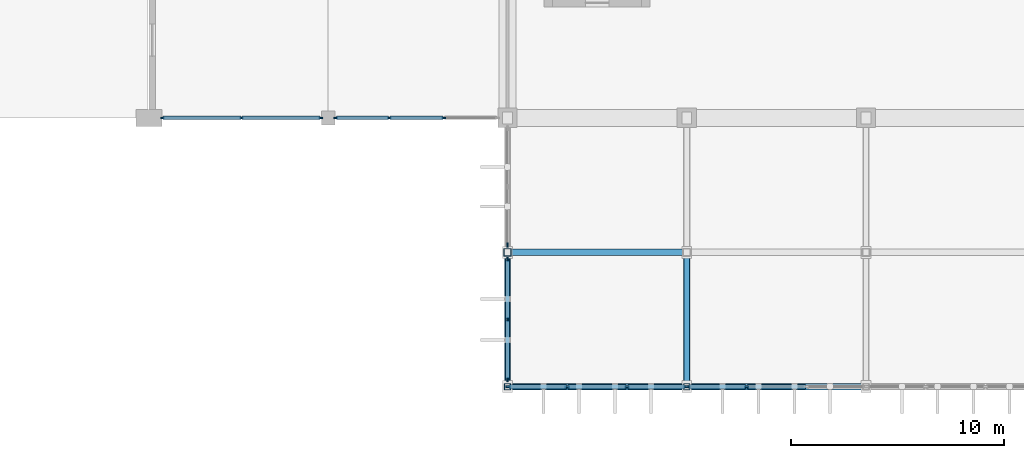
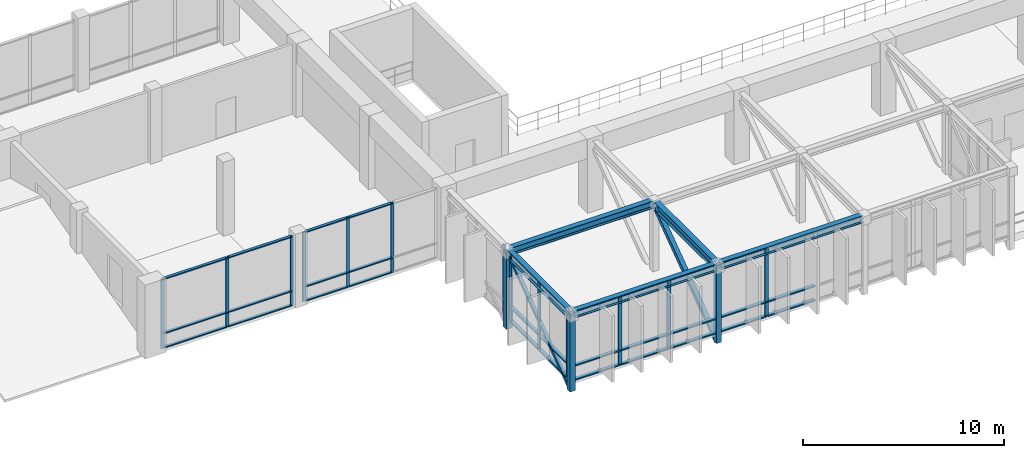
# One storey, part 2 of 40: 53 members, 5 beams, 6 elements without a shape of their own.
"""IFC4 building model written with IfcOpenShell, lengths in metres."""

from ifc_helpers import new_model, si_unit, direction, frame, origin, origin_2d, place, context, subcontext, project, spatial, rectangle, hollow_rectangle, i_section, extrude, material, material_profile, profile_set, type_object, element, aggregate, save


model = new_model("IFC4")

# Units and contexts
model_context = context("Model", 3, precision=1e-05, world=origin(), true_north=direction((0.0, 1.0)))
body_context = subcontext(model_context, "Body", "Model", "MODEL_VIEW")
ifc_project = project(units=[si_unit("LENGTHUNIT", "METRE"), si_unit("AREAUNIT", "SQUARE_METRE"), si_unit("VOLUMEUNIT", "CUBIC_METRE"), si_unit("PLANEANGLEUNIT", "RADIAN"), si_unit("MASSUNIT", "GRAM", prefix="KILO")], contexts=[model_context])

# Site, building, storey
site_placement = place(None, origin())
site = spatial("IfcSite", under=ifc_project, at=site_placement, CompositionType="ELEMENT")
building_placement = place(site_placement, origin())
building = spatial("IfcBuilding", under=site, at=building_placement, Name="Kenerak Square Central Library", CompositionType="ELEMENT")
storey_placement = place(building_placement, frame((0.0, 0.0, 14.39990234375)))
storey = spatial("IfcBuildingStorey", under=building, at=storey_placement, Name="L03", CompositionType="ELEMENT", Elevation=14.39990234375)

# Beams
ifc_material_1 = material(Name="Steel S355", Category="steel")
ifc_material_profile_1 = material_profile(ifc_material_1, i_section(OverallWidth=0.300048828125, OverallDepth=0.5, WebThickness=0.014404296875, FlangeThickness=0.028076171875, FilletRadius=0.027099609375, at=origin_2d()), Name="HEB 500")
ifc_profile_set_1 = profile_set([ifc_material_profile_1], Name="Steel S355")
beam_type_1 = type_object("IfcBeamType", Name="Backspan Steel Girder SB-03 HEB 500 S355", PredefinedType="BEAM", material=ifc_profile_set_1)
for number, where, z_axis, x_axis, name in (
    (1, (58.39990234375, 4.320068359375, 4.025146484375), (0.0, 1.0, 0.0), (-1.0, 0.0, 0.0), "Wall-Truss Chord 1 L03 007"),
    (2, (66.800048828125, 4.320068359375, 4.025146484375), (0.0, 1.0, 0.0), (-1.0, 0.0, 0.0), "Wall-Truss Chord 2 L03 023"),
):
    element("IfcBeam", number, at=place(storey_placement, frame(where, z_axis=z_axis, x_axis=x_axis)), inside=storey, type_object=beam_type_1, Name=name, PredefinedType="BEAM", context=body_context, shape_type="SweptSolid", body=[
        extrude(i_section(OverallWidth=0.300048828125, OverallDepth=0.5, WebThickness=0.014404296875, FlangeThickness=0.028076171875, FilletRadius=0.027099609375, at=origin_2d()), origin(), (0.0, 0.0, 1.0), 6.059814453125),
    ])

# Curtain wall, members
ifc_material_2 = material(Name="Anodised aluminium and solar-control low-E glazing", Category="aluminium")
curtain_wall_type_1 = type_object("IfcCurtainWallType", Name="Curtain Wall CW-V6-76x42 7625x4230", PredefinedType="USERDEFINED", material=ifc_material_2)
curtain_wall_1_placement = place(storey_placement, origin())
curtain_wall_1 = element("IfcCurtainWall", 3, at=curtain_wall_1_placement, inside=storey, type_object=curtain_wall_type_1, Name="Curtain Wall CW-V6-76x42 L03 0139", ObjectType="CURTAIN WALL", PredefinedType="USERDEFINED")
ifc_material_3 = material(Name="Anodised aluminium 6063-T6", Category="aluminium")
ifc_material_profile_2 = material_profile(ifc_material_3, rectangle(XDim=0.06494140625, YDim=0.179931640625, at=origin_2d()), Name="AL MULLION 65x180")
ifc_profile_set_2 = profile_set([ifc_material_profile_2], Name="Anodised aluminium 6063-T6")
member_type_1 = type_object("IfcMemberType", Name="Curtain Mullion CM-01 65x180", PredefinedType="MULLION", material=ifc_profile_set_2)
member_1_placement = place(storey_placement, frame((55.408447265625, 16.800048828125, 0.0), z_axis=(0.0, 0.0, 1.0), x_axis=(0.0, -1.0, 0.0)))
member_1 = element("IfcMember", 4, at=member_1_placement, type_object=member_type_1, Name="CW-V6-76x42 Mullion 2", PredefinedType="MULLION", context=body_context, shape_type="SweptSolid", body=[
    extrude(rectangle(XDim=0.06494140625, YDim=0.179931640625, at=origin_2d()), origin(), (0.0, 0.0, 1.0), 4.22998046875),
])
member_2_placement = place(storey_placement, frame((52.86669921875, 16.800048828125, 0.0), z_axis=(0.0, 0.0, 1.0), x_axis=(0.0, -1.0, 0.0)))
member_2 = element("IfcMember", 5, at=member_2_placement, type_object=member_type_1, Name="CW-V6-76x42 Mullion 3", PredefinedType="MULLION", context=body_context, shape_type="SweptSolid", body=[
    extrude(rectangle(XDim=0.06494140625, YDim=0.179931640625, at=origin_2d()), origin(), (0.0, 0.0, 1.0), 4.22998046875),
])
member_3_placement = place(storey_placement, frame((50.357421875, 16.800048828125, 0.0), z_axis=(0.0, 0.0, 1.0), x_axis=(0.0, -1.0, 0.0)))
member_3 = element("IfcMember", 6, at=member_3_placement, type_object=member_type_1, Name="CW-V6-76x42 Mullion 4", PredefinedType="MULLION", context=body_context, shape_type="SweptSolid", body=[
    extrude(rectangle(XDim=0.06494140625, YDim=0.179931640625, at=origin_2d()), origin(), (0.0, 0.0, 1.0), 4.22998046875),
])

curtain_wall_type_2 = type_object("IfcCurtainWallType", Name="Curtain Wall CW-V6-74x42 7475x4230", PredefinedType="USERDEFINED", material=ifc_material_2)
curtain_wall_2_placement = place(storey_placement, origin())
curtain_wall_2 = element("IfcCurtainWall", 7, at=curtain_wall_2_placement, inside=storey, type_object=curtain_wall_type_2, Name="Curtain Wall CW-V6-74x42 L03 0140", ObjectType="CURTAIN WALL", PredefinedType="USERDEFINED")
member_4_placement = place(storey_placement, frame((49.642578125, 16.800048828125, 0.0), z_axis=(0.0, 0.0, 1.0), x_axis=(0.0, -1.0, 0.0)))
member_4 = element("IfcMember", 8, at=member_4_placement, type_object=member_type_1, Name="CW-V6-74x42 Mullion 1", PredefinedType="MULLION", context=body_context, shape_type="SweptSolid", body=[
    extrude(rectangle(XDim=0.06494140625, YDim=0.179931640625, at=origin_2d()), origin(), (0.0, 0.0, 1.0), 4.22998046875),
])
member_5_placement = place(storey_placement, frame((45.9375, 16.800048828125, 0.0), z_axis=(0.0, 0.0, 1.0), x_axis=(0.0, -1.0, 0.0)))
member_5 = element("IfcMember", 9, at=member_5_placement, type_object=member_type_1, Name="CW-V6-74x42 Mullion 2", PredefinedType="MULLION", context=body_context, shape_type="SweptSolid", body=[
    extrude(rectangle(XDim=0.06494140625, YDim=0.179931640625, at=origin_2d()), origin(), (0.0, 0.0, 1.0), 4.22998046875),
])
member_6_placement = place(storey_placement, frame((42.232421875, 16.800048828125, 0.0), z_axis=(0.0, 0.0, 1.0), x_axis=(0.0, -1.0, 0.0)))
member_6 = element("IfcMember", 10, at=member_6_placement, type_object=member_type_1, Name="CW-V6-74x42 Mullion 3", PredefinedType="MULLION", context=body_context, shape_type="SweptSolid", body=[
    extrude(rectangle(XDim=0.06494140625, YDim=0.179931640625, at=origin_2d()), origin(), (0.0, 0.0, 1.0), 4.22998046875),
])

curtain_wall_type_3 = type_object("IfcCurtainWallType", Name="Curtain Wall CW-V1-84x42 8400x4230", PredefinedType="USERDEFINED", material=ifc_material_2)
curtain_wall_3_placement = place(storey_placement, origin())
curtain_wall_3 = element("IfcCurtainWall", 11, at=curtain_wall_3_placement, inside=storey, type_object=curtain_wall_type_3, Name="Curtain Wall CW-V1-84x42 L03 0135", ObjectType="CURTAIN WALL", PredefinedType="USERDEFINED")
ifc_material_profile_3 = material_profile(ifc_material_3, rectangle(XDim=0.074951171875, YDim=0.219970703125, at=origin_2d()), Name="AL MULLION 75x220")
ifc_profile_set_3 = profile_set([ifc_material_profile_3], Name="Anodised aluminium 6063-T6")
member_type_2 = type_object("IfcMemberType", Name="Curtain Mullion CM-02 75x220", PredefinedType="MULLION", material=ifc_profile_set_3)
member_7_placement = place(storey_placement, frame((69.60009765625, 4.199951171875, 0.0), z_axis=(0.0, 0.0, 1.0), x_axis=(0.0, -1.0, 0.0)))
member_7 = element("IfcMember", 12, at=member_7_placement, type_object=member_type_2, Name="CW-V1-84x42 Mullion 3", PredefinedType="MULLION", context=body_context, shape_type="SweptSolid", body=[
    extrude(rectangle(XDim=0.074951171875, YDim=0.219970703125, at=origin_2d()), origin(), (0.0, 0.0, 1.0), 4.22998046875),
])
member_8_placement = place(storey_placement, frame((66.83740234375, 4.199951171875, 0.0), z_axis=(0.0, 0.0, 1.0), x_axis=(0.0, -1.0, 0.0)))
member_8 = element("IfcMember", 13, at=member_8_placement, type_object=member_type_2, Name="CW-V1-84x42 Mullion 4", PredefinedType="MULLION", context=body_context, shape_type="SweptSolid", body=[
    extrude(rectangle(XDim=0.074951171875, YDim=0.219970703125, at=origin_2d()), origin(), (0.0, 0.0, 1.0), 4.22998046875),
])

curtain_wall_4_placement = place(storey_placement, origin())
curtain_wall_4 = element("IfcCurtainWall", 14, at=curtain_wall_4_placement, inside=storey, type_object=curtain_wall_type_3, Name="Curtain Wall CW-V1-84x42 L03 0136", ObjectType="CURTAIN WALL", PredefinedType="USERDEFINED")
member_9_placement = place(storey_placement, frame((66.762451171875, 4.199951171875, 0.0), z_axis=(0.0, 0.0, 1.0), x_axis=(0.0, -1.0, 0.0)))
member_9 = element("IfcMember", 15, at=member_9_placement, type_object=member_type_2, Name="CW-V1-84x42 Mullion 1", PredefinedType="MULLION", context=body_context, shape_type="SweptSolid", body=[
    extrude(rectangle(XDim=0.074951171875, YDim=0.219970703125, at=origin_2d()), origin(), (0.0, 0.0, 1.0), 4.22998046875),
])
member_10_placement = place(storey_placement, frame((64.0, 4.199951171875, 0.0), z_axis=(0.0, 0.0, 1.0), x_axis=(0.0, -1.0, 0.0)))
member_10 = element("IfcMember", 16, at=member_10_placement, type_object=member_type_2, Name="CW-V1-84x42 Mullion 2", PredefinedType="MULLION", context=body_context, shape_type="SweptSolid", body=[
    extrude(rectangle(XDim=0.074951171875, YDim=0.219970703125, at=origin_2d()), origin(), (0.0, 0.0, 1.0), 4.22998046875),
])
member_11_placement = place(storey_placement, frame((61.199951171875, 4.199951171875, 0.0), z_axis=(0.0, 0.0, 1.0), x_axis=(0.0, -1.0, 0.0)))
member_11 = element("IfcMember", 17, at=member_11_placement, type_object=member_type_2, Name="CW-V1-84x42 Mullion 3", PredefinedType="MULLION", context=body_context, shape_type="SweptSolid", body=[
    extrude(rectangle(XDim=0.074951171875, YDim=0.219970703125, at=origin_2d()), origin(), (0.0, 0.0, 1.0), 4.22998046875),
])
member_12_placement = place(storey_placement, frame((58.4375, 4.199951171875, 0.0), z_axis=(0.0, 0.0, 1.0), x_axis=(0.0, -1.0, 0.0)))
member_12 = element("IfcMember", 18, at=member_12_placement, type_object=member_type_2, Name="CW-V1-84x42 Mullion 4", PredefinedType="MULLION", context=body_context, shape_type="SweptSolid", body=[
    extrude(rectangle(XDim=0.074951171875, YDim=0.219970703125, at=origin_2d()), origin(), (0.0, 0.0, 1.0), 4.22998046875),
])

curtain_wall_type_4 = type_object("IfcCurtainWallType", Name="Curtain Wall CW-V1-57x42 5700x4230", PredefinedType="USERDEFINED", material=ifc_material_2)
curtain_wall_5_placement = place(storey_placement, origin())
curtain_wall_5 = element("IfcCurtainWall", 19, at=curtain_wall_5_placement, inside=storey, type_object=curtain_wall_type_4, Name="Curtain Wall CW-V1-57x42 L03 0137", ObjectType="CURTAIN WALL", PredefinedType="USERDEFINED")
member_13_placement = place(storey_placement, frame((58.39990234375, 4.53759765625, 0.0), z_axis=(0.0, 0.0, 1.0), x_axis=(-1.0, 0.0, 0.0)))
member_13 = element("IfcMember", 20, at=member_13_placement, type_object=member_type_2, Name="CW-V1-57x42 Mullion 1", PredefinedType="MULLION", context=body_context, shape_type="SweptSolid", body=[
    extrude(rectangle(XDim=0.074951171875, YDim=0.219970703125, at=origin_2d()), origin(), (0.0, 0.0, 1.0), 4.22998046875),
])
member_14_placement = place(storey_placement, frame((58.39990234375, 7.35009765625, 0.0), z_axis=(0.0, 0.0, 1.0), x_axis=(-1.0, 0.0, 0.0)))
member_14 = element("IfcMember", 21, at=member_14_placement, type_object=member_type_2, Name="CW-V1-57x42 Mullion 2", PredefinedType="MULLION", context=body_context, shape_type="SweptSolid", body=[
    extrude(rectangle(XDim=0.074951171875, YDim=0.219970703125, at=origin_2d()), origin(), (0.0, 0.0, 1.0), 4.22998046875),
])
member_15_placement = place(storey_placement, frame((58.39990234375, 10.16259765625, 0.0), z_axis=(0.0, 0.0, 1.0), x_axis=(-1.0, 0.0, 0.0)))
member_15 = element("IfcMember", 22, at=member_15_placement, type_object=member_type_2, Name="CW-V1-57x42 Mullion 3", PredefinedType="MULLION", context=body_context, shape_type="SweptSolid", body=[
    extrude(rectangle(XDim=0.074951171875, YDim=0.219970703125, at=origin_2d()), origin(), (0.0, 0.0, 1.0), 4.22998046875),
])

# Curtain wall, member
curtain_wall_type_5 = type_object("IfcCurtainWallType", Name="Curtain Wall CW-V1-55x42 5550x4230", PredefinedType="USERDEFINED", material=ifc_material_2)
curtain_wall_6_placement = place(storey_placement, origin())
curtain_wall_6 = element("IfcCurtainWall", 23, at=curtain_wall_6_placement, inside=storey, type_object=curtain_wall_type_5, Name="Curtain Wall CW-V1-55x42 L03 0138", ObjectType="CURTAIN WALL", PredefinedType="USERDEFINED")
member_16_placement = place(storey_placement, frame((58.39990234375, 10.83740234375, 0.0), z_axis=(0.0, 0.0, 1.0), x_axis=(-1.0, 0.0, 0.0)))
member_16 = element("IfcMember", 24, at=member_16_placement, type_object=member_type_2, Name="CW-V1-55x42 Mullion 1", PredefinedType="MULLION", context=body_context, shape_type="SweptSolid", body=[
    extrude(rectangle(XDim=0.074951171875, YDim=0.219970703125, at=origin_2d()), origin(), (0.0, 0.0, 1.0), 4.22998046875),
])
aggregate(curtain_wall_6, [member_16])

# Member
ifc_material_profile_4 = material_profile(ifc_material_3, rectangle(XDim=0.159912109375, YDim=0.06494140625, at=origin_2d()), Name="AL TRANSOM 160x65")
ifc_profile_set_4 = profile_set([ifc_material_profile_4], Name="Anodised aluminium 6063-T6")
member_type_3 = type_object("IfcMemberType", Name="Curtain Transom CT-11 160x65", PredefinedType="USERDEFINED", material=ifc_profile_set_4)
member_17_placement = place(storey_placement, frame((55.375732421875, 16.800048828125, 0.03271484375), z_axis=(-1.0, 0.0, 0.0), x_axis=(0.0, -1.0, 0.0)))
member_17 = element("IfcMember", 25, at=member_17_placement, type_object=member_type_3, Name="CW-V6-76x42 Transom 2.1", ObjectType="TRANSOM", PredefinedType="USERDEFINED", context=body_context, shape_type="SweptSolid", body=[
    extrude(rectangle(XDim=0.159912109375, YDim=0.06494140625, at=origin_2d()), origin(), (0.0, 0.0, 1.0), 2.4765625),
])

member_18_placement = place(storey_placement, frame((55.375732421875, 16.800048828125, 0.900146484375), z_axis=(-1.0, 0.0, 0.0), x_axis=(0.0, -1.0, 0.0)))
member_18 = element("IfcMember", 26, at=member_18_placement, type_object=member_type_3, Name="CW-V6-76x42 Transom 2.2", ObjectType="TRANSOM", PredefinedType="USERDEFINED", context=body_context, shape_type="SweptSolid", body=[
    extrude(rectangle(XDim=0.159912109375, YDim=0.06494140625, at=origin_2d()), origin(), (0.0, 0.0, 1.0), 2.4765625),
])

member_19_placement = place(storey_placement, frame((55.375732421875, 16.800048828125, 4.197509765625), z_axis=(-1.0, 0.0, 0.0), x_axis=(0.0, -1.0, 0.0)))
member_19 = element("IfcMember", 27, at=member_19_placement, type_object=member_type_3, Name="CW-V6-76x42 Transom 2.3", ObjectType="TRANSOM", PredefinedType="USERDEFINED", context=body_context, shape_type="SweptSolid", body=[
    extrude(rectangle(XDim=0.159912109375, YDim=0.06494140625, at=origin_2d()), origin(), (0.0, 0.0, 1.0), 2.4765625),
])

member_20_placement = place(storey_placement, frame((52.834228515625, 16.800048828125, 0.03271484375), z_axis=(-1.0, 0.0, 0.0), x_axis=(0.0, -1.0, 0.0)))
member_20 = element("IfcMember", 28, at=member_20_placement, type_object=member_type_3, Name="CW-V6-76x42 Transom 3.1", ObjectType="TRANSOM", PredefinedType="USERDEFINED", context=body_context, shape_type="SweptSolid", body=[
    extrude(rectangle(XDim=0.159912109375, YDim=0.06494140625, at=origin_2d()), origin(), (0.0, 0.0, 1.0), 2.4443359375),
])

member_21_placement = place(storey_placement, frame((52.834228515625, 16.800048828125, 0.900146484375), z_axis=(-1.0, 0.0, 0.0), x_axis=(0.0, -1.0, 0.0)))
member_21 = element("IfcMember", 29, at=member_21_placement, type_object=member_type_3, Name="CW-V6-76x42 Transom 3.2", ObjectType="TRANSOM", PredefinedType="USERDEFINED", context=body_context, shape_type="SweptSolid", body=[
    extrude(rectangle(XDim=0.159912109375, YDim=0.06494140625, at=origin_2d()), origin(), (0.0, 0.0, 1.0), 2.4443359375),
])

member_22_placement = place(storey_placement, frame((52.834228515625, 16.800048828125, 4.197509765625), z_axis=(-1.0, 0.0, 0.0), x_axis=(0.0, -1.0, 0.0)))
member_22 = element("IfcMember", 30, at=member_22_placement, type_object=member_type_3, Name="CW-V6-76x42 Transom 3.3", ObjectType="TRANSOM", PredefinedType="USERDEFINED", context=body_context, shape_type="SweptSolid", body=[
    extrude(rectangle(XDim=0.159912109375, YDim=0.06494140625, at=origin_2d()), origin(), (0.0, 0.0, 1.0), 2.4443359375),
])

aggregate(curtain_wall_1, [member_1, member_2, member_3, member_17, member_18, member_19, member_20, member_21, member_22])

member_23_placement = place(storey_placement, frame((49.610107421875, 16.800048828125, 0.03271484375), z_axis=(-1.0, 0.0, 0.0), x_axis=(0.0, -1.0, 0.0)))
member_23 = element("IfcMember", 31, at=member_23_placement, type_object=member_type_3, Name="CW-V6-74x42 Transom 1.1", ObjectType="TRANSOM", PredefinedType="USERDEFINED", context=body_context, shape_type="SweptSolid", body=[
    extrude(rectangle(XDim=0.159912109375, YDim=0.06494140625, at=origin_2d()), origin(), (0.0, 0.0, 1.0), 3.64013671875),
])

member_24_placement = place(storey_placement, frame((49.610107421875, 16.800048828125, 0.900146484375), z_axis=(-1.0, 0.0, 0.0), x_axis=(0.0, -1.0, 0.0)))
member_24 = element("IfcMember", 32, at=member_24_placement, type_object=member_type_3, Name="CW-V6-74x42 Transom 1.2", ObjectType="TRANSOM", PredefinedType="USERDEFINED", context=body_context, shape_type="SweptSolid", body=[
    extrude(rectangle(XDim=0.159912109375, YDim=0.06494140625, at=origin_2d()), origin(), (0.0, 0.0, 1.0), 3.64013671875),
])

member_25_placement = place(storey_placement, frame((49.610107421875, 16.800048828125, 4.197509765625), z_axis=(-1.0, 0.0, 0.0), x_axis=(0.0, -1.0, 0.0)))
member_25 = element("IfcMember", 33, at=member_25_placement, type_object=member_type_3, Name="CW-V6-74x42 Transom 1.3", ObjectType="TRANSOM", PredefinedType="USERDEFINED", context=body_context, shape_type="SweptSolid", body=[
    extrude(rectangle(XDim=0.159912109375, YDim=0.06494140625, at=origin_2d()), origin(), (0.0, 0.0, 1.0), 3.64013671875),
])

member_26_placement = place(storey_placement, frame((45.905029296875, 16.800048828125, 0.03271484375), z_axis=(-1.0, 0.0, 0.0), x_axis=(0.0, -1.0, 0.0)))
member_26 = element("IfcMember", 34, at=member_26_placement, type_object=member_type_3, Name="CW-V6-74x42 Transom 2.1", ObjectType="TRANSOM", PredefinedType="USERDEFINED", context=body_context, shape_type="SweptSolid", body=[
    extrude(rectangle(XDim=0.159912109375, YDim=0.06494140625, at=origin_2d()), origin(), (0.0, 0.0, 1.0), 3.64013671875),
])

member_27_placement = place(storey_placement, frame((45.905029296875, 16.800048828125, 0.900146484375), z_axis=(-1.0, 0.0, 0.0), x_axis=(0.0, -1.0, 0.0)))
member_27 = element("IfcMember", 35, at=member_27_placement, type_object=member_type_3, Name="CW-V6-74x42 Transom 2.2", ObjectType="TRANSOM", PredefinedType="USERDEFINED", context=body_context, shape_type="SweptSolid", body=[
    extrude(rectangle(XDim=0.159912109375, YDim=0.06494140625, at=origin_2d()), origin(), (0.0, 0.0, 1.0), 3.64013671875),
])

member_28_placement = place(storey_placement, frame((45.905029296875, 16.800048828125, 4.197509765625), z_axis=(-1.0, 0.0, 0.0), x_axis=(0.0, -1.0, 0.0)))
member_28 = element("IfcMember", 36, at=member_28_placement, type_object=member_type_3, Name="CW-V6-74x42 Transom 2.3", ObjectType="TRANSOM", PredefinedType="USERDEFINED", context=body_context, shape_type="SweptSolid", body=[
    extrude(rectangle(XDim=0.159912109375, YDim=0.06494140625, at=origin_2d()), origin(), (0.0, 0.0, 1.0), 3.64013671875),
])

aggregate(curtain_wall_2, [member_4, member_5, member_6, member_23, member_24, member_25, member_26, member_27, member_28])

ifc_material_profile_5 = material_profile(ifc_material_3, rectangle(XDim=0.199951171875, YDim=0.074951171875, at=origin_2d()), Name="AL TRANSOM 200x75")
ifc_profile_set_5 = profile_set([ifc_material_profile_5], Name="Anodised aluminium 6063-T6")
member_type_4 = type_object("IfcMemberType", Name="Curtain Transom CT-12 200x75", PredefinedType="USERDEFINED", material=ifc_profile_set_5)
member_29_placement = place(storey_placement, frame((72.362548828125, 4.199951171875, 0.03759765625), z_axis=(-1.0, 0.0, 0.0), x_axis=(0.0, -1.0, 0.0)))
member_29 = element("IfcMember", 37, at=member_29_placement, type_object=member_type_4, Name="CW-V1-84x42 Transom 2.1", ObjectType="TRANSOM", PredefinedType="USERDEFINED", context=body_context, shape_type="SweptSolid", body=[
    extrude(rectangle(XDim=0.199951171875, YDim=0.074951171875, at=origin_2d()), origin(), (0.0, 0.0, 1.0), 2.72509765625),
])

member_30_placement = place(storey_placement, frame((72.362548828125, 4.199951171875, 0.900146484375), z_axis=(-1.0, 0.0, 0.0), x_axis=(0.0, -1.0, 0.0)))
member_30 = element("IfcMember", 38, at=member_30_placement, type_object=member_type_4, Name="CW-V1-84x42 Transom 2.2", ObjectType="TRANSOM", PredefinedType="USERDEFINED", context=body_context, shape_type="SweptSolid", body=[
    extrude(rectangle(XDim=0.199951171875, YDim=0.074951171875, at=origin_2d()), origin(), (0.0, 0.0, 1.0), 2.72509765625),
])

member_31_placement = place(storey_placement, frame((69.5625, 4.199951171875, 0.03759765625), z_axis=(-1.0, 0.0, 0.0), x_axis=(0.0, -1.0, 0.0)))
member_31 = element("IfcMember", 39, at=member_31_placement, type_object=member_type_4, Name="CW-V1-84x42 Transom 3.1", ObjectType="TRANSOM", PredefinedType="USERDEFINED", context=body_context, shape_type="SweptSolid", body=[
    extrude(rectangle(XDim=0.199951171875, YDim=0.074951171875, at=origin_2d()), origin(), (0.0, 0.0, 1.0), 2.6875),
])

member_32_placement = place(storey_placement, frame((69.5625, 4.199951171875, 0.900146484375), z_axis=(-1.0, 0.0, 0.0), x_axis=(0.0, -1.0, 0.0)))
member_32 = element("IfcMember", 40, at=member_32_placement, type_object=member_type_4, Name="CW-V1-84x42 Transom 3.2", ObjectType="TRANSOM", PredefinedType="USERDEFINED", context=body_context, shape_type="SweptSolid", body=[
    extrude(rectangle(XDim=0.199951171875, YDim=0.074951171875, at=origin_2d()), origin(), (0.0, 0.0, 1.0), 2.6875),
])

member_33_placement = place(storey_placement, frame((69.5625, 4.199951171875, 4.192626953125), z_axis=(-1.0, 0.0, 0.0), x_axis=(0.0, -1.0, 0.0)))
member_33 = element("IfcMember", 41, at=member_33_placement, type_object=member_type_4, Name="CW-V1-84x42 Transom 3.3", ObjectType="TRANSOM", PredefinedType="USERDEFINED", context=body_context, shape_type="SweptSolid", body=[
    extrude(rectangle(XDim=0.199951171875, YDim=0.074951171875, at=origin_2d()), origin(), (0.0, 0.0, 1.0), 2.6875),
])

aggregate(curtain_wall_3, [member_7, member_8, member_29, member_30, member_31, member_32, member_33])

member_34_placement = place(storey_placement, frame((66.72509765625, 4.199951171875, 0.03759765625), z_axis=(-1.0, 0.0, 0.0), x_axis=(0.0, -1.0, 0.0)))
member_34 = element("IfcMember", 42, at=member_34_placement, type_object=member_type_4, Name="CW-V1-84x42 Transom 1.1", ObjectType="TRANSOM", PredefinedType="USERDEFINED", context=body_context, shape_type="SweptSolid", body=[
    extrude(rectangle(XDim=0.199951171875, YDim=0.074951171875, at=origin_2d()), origin(), (0.0, 0.0, 1.0), 2.6875),
])

member_35_placement = place(storey_placement, frame((66.72509765625, 4.199951171875, 0.900146484375), z_axis=(-1.0, 0.0, 0.0), x_axis=(0.0, -1.0, 0.0)))
member_35 = element("IfcMember", 43, at=member_35_placement, type_object=member_type_4, Name="CW-V1-84x42 Transom 1.2", ObjectType="TRANSOM", PredefinedType="USERDEFINED", context=body_context, shape_type="SweptSolid", body=[
    extrude(rectangle(XDim=0.199951171875, YDim=0.074951171875, at=origin_2d()), origin(), (0.0, 0.0, 1.0), 2.6875),
])

member_36_placement = place(storey_placement, frame((66.72509765625, 4.199951171875, 4.192626953125), z_axis=(-1.0, 0.0, 0.0), x_axis=(0.0, -1.0, 0.0)))
member_36 = element("IfcMember", 44, at=member_36_placement, type_object=member_type_4, Name="CW-V1-84x42 Transom 1.3", ObjectType="TRANSOM", PredefinedType="USERDEFINED", context=body_context, shape_type="SweptSolid", body=[
    extrude(rectangle(XDim=0.199951171875, YDim=0.074951171875, at=origin_2d()), origin(), (0.0, 0.0, 1.0), 2.6875),
])

member_37_placement = place(storey_placement, frame((63.96240234375, 4.199951171875, 0.03759765625), z_axis=(-1.0, 0.0, 0.0), x_axis=(0.0, -1.0, 0.0)))
member_37 = element("IfcMember", 45, at=member_37_placement, type_object=member_type_4, Name="CW-V1-84x42 Transom 2.1", ObjectType="TRANSOM", PredefinedType="USERDEFINED", context=body_context, shape_type="SweptSolid", body=[
    extrude(rectangle(XDim=0.199951171875, YDim=0.074951171875, at=origin_2d()), origin(), (0.0, 0.0, 1.0), 2.724853515625),
])

member_38_placement = place(storey_placement, frame((63.96240234375, 4.199951171875, 0.900146484375), z_axis=(-1.0, 0.0, 0.0), x_axis=(0.0, -1.0, 0.0)))
member_38 = element("IfcMember", 46, at=member_38_placement, type_object=member_type_4, Name="CW-V1-84x42 Transom 2.2", ObjectType="TRANSOM", PredefinedType="USERDEFINED", context=body_context, shape_type="SweptSolid", body=[
    extrude(rectangle(XDim=0.199951171875, YDim=0.074951171875, at=origin_2d()), origin(), (0.0, 0.0, 1.0), 2.724853515625),
])

member_39_placement = place(storey_placement, frame((63.96240234375, 4.199951171875, 4.192626953125), z_axis=(-1.0, 0.0, 0.0), x_axis=(0.0, -1.0, 0.0)))
member_39 = element("IfcMember", 47, at=member_39_placement, type_object=member_type_4, Name="CW-V1-84x42 Transom 2.3", ObjectType="TRANSOM", PredefinedType="USERDEFINED", context=body_context, shape_type="SweptSolid", body=[
    extrude(rectangle(XDim=0.199951171875, YDim=0.074951171875, at=origin_2d()), origin(), (0.0, 0.0, 1.0), 2.724853515625),
])

member_40_placement = place(storey_placement, frame((61.16259765625, 4.199951171875, 0.03759765625), z_axis=(-1.0, 0.0, 0.0), x_axis=(0.0, -1.0, 0.0)))
member_40 = element("IfcMember", 48, at=member_40_placement, type_object=member_type_4, Name="CW-V1-84x42 Transom 3.1", ObjectType="TRANSOM", PredefinedType="USERDEFINED", context=body_context, shape_type="SweptSolid", body=[
    extrude(rectangle(XDim=0.199951171875, YDim=0.074951171875, at=origin_2d()), origin(), (0.0, 0.0, 1.0), 2.6875),
])

member_41_placement = place(storey_placement, frame((61.16259765625, 4.199951171875, 0.900146484375), z_axis=(-1.0, 0.0, 0.0), x_axis=(0.0, -1.0, 0.0)))
member_41 = element("IfcMember", 49, at=member_41_placement, type_object=member_type_4, Name="CW-V1-84x42 Transom 3.2", ObjectType="TRANSOM", PredefinedType="USERDEFINED", context=body_context, shape_type="SweptSolid", body=[
    extrude(rectangle(XDim=0.199951171875, YDim=0.074951171875, at=origin_2d()), origin(), (0.0, 0.0, 1.0), 2.6875),
])

member_42_placement = place(storey_placement, frame((61.16259765625, 4.199951171875, 4.192626953125), z_axis=(-1.0, 0.0, 0.0), x_axis=(0.0, -1.0, 0.0)))
member_42 = element("IfcMember", 50, at=member_42_placement, type_object=member_type_4, Name="CW-V1-84x42 Transom 3.3", ObjectType="TRANSOM", PredefinedType="USERDEFINED", context=body_context, shape_type="SweptSolid", body=[
    extrude(rectangle(XDim=0.199951171875, YDim=0.074951171875, at=origin_2d()), origin(), (0.0, 0.0, 1.0), 2.6875),
])

aggregate(curtain_wall_4, [member_9, member_10, member_11, member_12, member_34, member_35, member_36, member_37, member_38, member_39, member_40, member_41, member_42])

member_43_placement = place(storey_placement, frame((58.39990234375, 4.574951171875, 0.03759765625), z_axis=(0.0, 1.0, 0.0), x_axis=(-1.0, 0.0, 0.0)))
member_43 = element("IfcMember", 51, at=member_43_placement, type_object=member_type_4, Name="CW-V1-57x42 Transom 1.1", ObjectType="TRANSOM", PredefinedType="USERDEFINED", context=body_context, shape_type="SweptSolid", body=[
    extrude(rectangle(XDim=0.199951171875, YDim=0.074951171875, at=origin_2d()), origin(), (0.0, 0.0, 1.0), 2.737548828125),
])

member_44_placement = place(storey_placement, frame((58.39990234375, 4.574951171875, 0.900146484375), z_axis=(0.0, 1.0, 0.0), x_axis=(-1.0, 0.0, 0.0)))
member_44 = element("IfcMember", 52, at=member_44_placement, type_object=member_type_4, Name="CW-V1-57x42 Transom 1.2", ObjectType="TRANSOM", PredefinedType="USERDEFINED", context=body_context, shape_type="SweptSolid", body=[
    extrude(rectangle(XDim=0.199951171875, YDim=0.074951171875, at=origin_2d()), origin(), (0.0, 0.0, 1.0), 2.737548828125),
])

member_45_placement = place(storey_placement, frame((58.39990234375, 4.574951171875, 4.192626953125), z_axis=(0.0, 1.0, 0.0), x_axis=(-1.0, 0.0, 0.0)))
member_45 = element("IfcMember", 53, at=member_45_placement, type_object=member_type_4, Name="CW-V1-57x42 Transom 1.3", ObjectType="TRANSOM", PredefinedType="USERDEFINED", context=body_context, shape_type="SweptSolid", body=[
    extrude(rectangle(XDim=0.199951171875, YDim=0.074951171875, at=origin_2d()), origin(), (0.0, 0.0, 1.0), 2.737548828125),
])

member_46_placement = place(storey_placement, frame((58.39990234375, 7.387451171875, 0.03759765625), z_axis=(0.0, 1.0, 0.0), x_axis=(-1.0, 0.0, 0.0)))
member_46 = element("IfcMember", 54, at=member_46_placement, type_object=member_type_4, Name="CW-V1-57x42 Transom 2.1", ObjectType="TRANSOM", PredefinedType="USERDEFINED", context=body_context, shape_type="SweptSolid", body=[
    extrude(rectangle(XDim=0.199951171875, YDim=0.074951171875, at=origin_2d()), origin(), (0.0, 0.0, 1.0), 2.737548828125),
])

member_47_placement = place(storey_placement, frame((58.39990234375, 7.387451171875, 0.900146484375), z_axis=(0.0, 1.0, 0.0), x_axis=(-1.0, 0.0, 0.0)))
member_47 = element("IfcMember", 55, at=member_47_placement, type_object=member_type_4, Name="CW-V1-57x42 Transom 2.2", ObjectType="TRANSOM", PredefinedType="USERDEFINED", context=body_context, shape_type="SweptSolid", body=[
    extrude(rectangle(XDim=0.199951171875, YDim=0.074951171875, at=origin_2d()), origin(), (0.0, 0.0, 1.0), 2.737548828125),
])

member_48_placement = place(storey_placement, frame((58.39990234375, 7.387451171875, 4.192626953125), z_axis=(0.0, 1.0, 0.0), x_axis=(-1.0, 0.0, 0.0)))
member_48 = element("IfcMember", 56, at=member_48_placement, type_object=member_type_4, Name="CW-V1-57x42 Transom 2.3", ObjectType="TRANSOM", PredefinedType="USERDEFINED", context=body_context, shape_type="SweptSolid", body=[
    extrude(rectangle(XDim=0.199951171875, YDim=0.074951171875, at=origin_2d()), origin(), (0.0, 0.0, 1.0), 2.737548828125),
])

aggregate(curtain_wall_5, [member_13, member_14, member_15, member_43, member_44, member_45, member_46, member_47, member_48])

# Beams
ifc_material_profile_6 = material_profile(ifc_material_1, i_section(OverallWidth=0.300048828125, OverallDepth=0.449951171875, WebThickness=0.013916015625, FlangeThickness=0.02587890625, FilletRadius=0.027099609375, at=origin_2d()), Name="HEB 450")
ifc_profile_set_6 = profile_set([ifc_material_profile_6], Name="Steel S355")
beam_type_2 = type_object("IfcBeamType", Name="Overhang Cross Girder SB-04 HEB 450 S355", PredefinedType="BEAM", material=ifc_profile_set_6)
beam_1_placement = place(storey_placement, frame((58.52001953125, 4.199951171875, 4.050048828125), z_axis=(1.0, 0.0, 0.0), x_axis=(0.0, 1.0, 0.0)))
element("IfcBeam", 57, at=beam_1_placement, inside=storey, type_object=beam_type_2, Name="Overhang Cross Girder SB-04 L03 1733", PredefinedType="BEAM", context=body_context, shape_type="SweptSolid", body=[
    extrude(i_section(OverallWidth=0.300048828125, OverallDepth=0.449951171875, WebThickness=0.013916015625, FlangeThickness=0.02587890625, FilletRadius=0.027099609375, at=origin_2d()), origin(), (0.0, 0.0, 1.0), 8.159912109375),
])
beam_2_placement = place(storey_placement, frame((66.919921875, 4.199951171875, 4.050048828125), z_axis=(1.0, 0.0, 0.0), x_axis=(0.0, 1.0, 0.0)))
element("IfcBeam", 58, at=beam_2_placement, inside=storey, type_object=beam_type_2, Name="Overhang Cross Girder SB-04 L03 1734", PredefinedType="BEAM", context=body_context, shape_type="SweptSolid", body=[
    extrude(i_section(OverallWidth=0.300048828125, OverallDepth=0.449951171875, WebThickness=0.013916015625, FlangeThickness=0.02587890625, FilletRadius=0.027099609375, at=origin_2d()), origin(), (0.0, 0.0, 1.0), 8.16015625),
])
beam_3_placement = place(storey_placement, frame((58.52001953125, 10.5, 4.050048828125), z_axis=(1.0, 0.0, 0.0), x_axis=(0.0, 1.0, 0.0)))
element("IfcBeam", 59, at=beam_3_placement, inside=storey, type_object=beam_type_2, Name="Overhang Cross Girder SB-04 L03 1739", PredefinedType="BEAM", context=body_context, shape_type="SweptSolid", body=[
    extrude(i_section(OverallWidth=0.300048828125, OverallDepth=0.449951171875, WebThickness=0.013916015625, FlangeThickness=0.02587890625, FilletRadius=0.027099609375, at=origin_2d()), origin(), (0.0, 0.0, 1.0), 8.159912109375),
])

# Members
ifc_material_profile_7 = material_profile(ifc_material_1, hollow_rectangle(XDim=0.179931640625, YDim=0.179931640625, WallThickness=0.008056640625, at=origin_2d()), Name="SHS 180x180x8.0")
ifc_profile_set_7 = profile_set([ifc_material_profile_7], Name="Steel S355")
member_type_5 = type_object("IfcMemberType", Name="Overhang Web Tie TM-06 SHS 180x180x8 S355", PredefinedType="STRUT", material=ifc_profile_set_7)
member_49_placement = place(storey_placement, frame((58.39990234375, 4.199951171875, -0.5498046875), z_axis=(0.0, 0.809157580603, 0.587591703271), x_axis=(-1.0, 0.0, 0.0)))
element("IfcMember", 60, at=member_49_placement, inside=storey, type_object=member_type_5, Name="Wall-Truss Diagonal 1 L03 015", PredefinedType="STRUT", context=body_context, shape_type="SweptSolid", body=[
    extrude(hollow_rectangle(XDim=0.179931640625, YDim=0.179931640625, WallThickness=0.008056640625, at=origin_2d()), origin(), (0.0, 0.0, 1.0), 7.785888671875),
])
ifc_material_profile_8 = material_profile(ifc_material_1, hollow_rectangle(XDim=0.35009765625, YDim=0.35009765625, WallThickness=0.01611328125, at=origin_2d()), Name="SHS 350x350x16.0")
ifc_profile_set_8 = profile_set([ifc_material_profile_8], Name="Steel S355")
member_type_6 = type_object("IfcMemberType", Name="Wall-Truss Heavy Post TM-01 SHS 350x350x16 S355", PredefinedType="STRUT", material=ifc_profile_set_8)
member_50_placement = place(storey_placement, frame((58.39990234375, 10.5, -0.5498046875), z_axis=(0.0, 0.0, 1.0), x_axis=(1.0, 0.0, 0.0)))
element("IfcMember", 61, at=member_50_placement, inside=storey, type_object=member_type_6, Name="Wall-Truss Post 1 L03 014", PredefinedType="STRUT", context=body_context, shape_type="SweptSolid", body=[
    extrude(hollow_rectangle(XDim=0.35009765625, YDim=0.35009765625, WallThickness=0.01611328125, at=origin_2d()), origin(), (0.0, 0.0, 1.0), 4.574951171875),
])
ifc_material_profile_9 = material_profile(ifc_material_1, hollow_rectangle(XDim=0.300048828125, YDim=0.300048828125, WallThickness=0.012451171875, at=origin_2d()), Name="SHS 300x300x12.5")
ifc_profile_set_9 = profile_set([ifc_material_profile_9], Name="Steel S355")
member_type_7 = type_object("IfcMemberType", Name="Wall-Truss Vertical Post TM-02 SHS 300x300x12.5 S355", PredefinedType="STRUT", material=ifc_profile_set_9)
for number, where, z_axis, x_axis, name in (
    (62, (58.39990234375, 4.199951171875, -0.5498046875), (0.0, 0.0, 1.0), (1.0, 0.0, 0.0), "Wall-Truss Post 1 L03 013"),
    (63, (66.800048828125, 4.199951171875, -0.5498046875), (0.0, 0.0, 1.0), (1.0, 0.0, 0.0), "Wall-Truss Post 2 L03 029"),
):
    element("IfcMember", number, at=place(storey_placement, frame(where, z_axis=z_axis, x_axis=x_axis)), inside=storey, type_object=member_type_7, Name=name, PredefinedType="STRUT", context=body_context, shape_type="SweptSolid", body=[
        extrude(hollow_rectangle(XDim=0.300048828125, YDim=0.300048828125, WallThickness=0.012451171875, at=origin_2d()), origin(), (0.0, 0.0, 1.0), 4.574951171875),
    ])
ifc_material_profile_10 = material_profile(ifc_material_1, hollow_rectangle(XDim=0.25, YDim=0.25, WallThickness=0.010009765625, at=origin_2d()), Name="SHS 250x250x10.0")
ifc_profile_set_10 = profile_set([ifc_material_profile_10], Name="Steel S355")
member_type_8 = type_object("IfcMemberType", Name="Wall-Truss Web Diagonal TM-03 SHS 250x250x10 S355", PredefinedType="BRACE", material=ifc_profile_set_10)
member_51_placement = place(storey_placement, frame((66.800048828125, 4.199951171875, -0.5498046875), z_axis=(0.0, 0.809157580603, 0.587591703271), x_axis=(-1.0, 0.0, 0.0)))
element("IfcMember", 64, at=member_51_placement, inside=storey, type_object=member_type_8, Name="Wall-Truss Diagonal 2 L03 031", PredefinedType="BRACE", context=body_context, shape_type="SweptSolid", body=[
    extrude(hollow_rectangle(XDim=0.25, YDim=0.25, WallThickness=0.010009765625, at=origin_2d()), origin(), (0.0, 0.0, 1.0), 7.785888671875),
])

save(model, "model.ifc")
